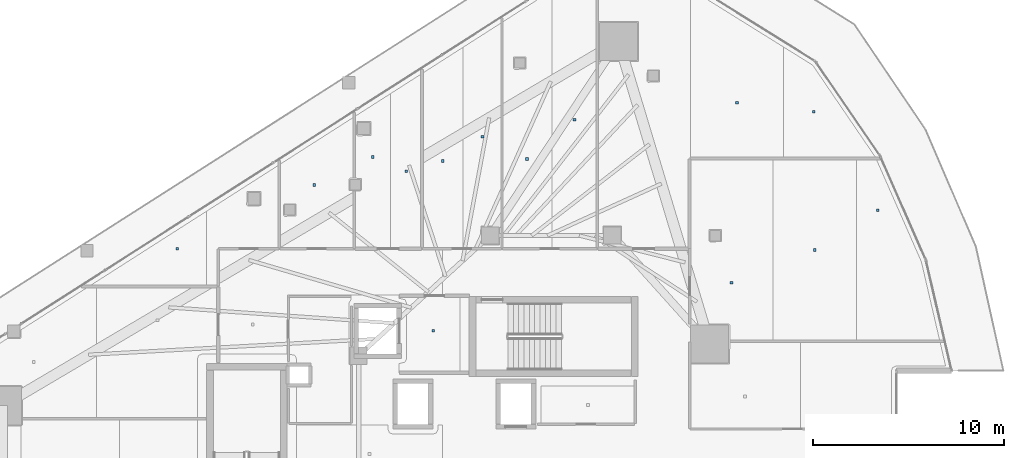
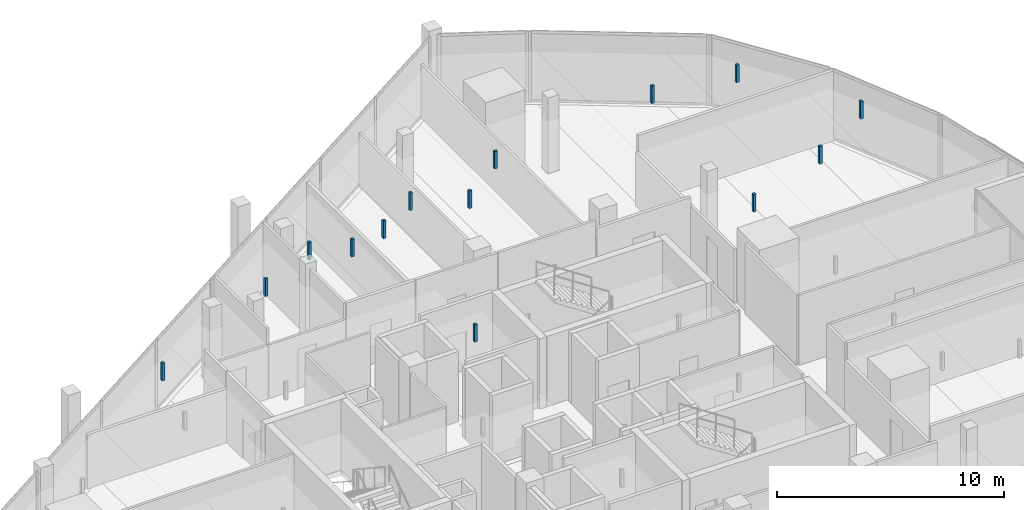
# One storey, part 27 of 33: 14 discrete accessories.
"""IFC4 building model written with IfcOpenShell, lengths in metres."""

from ifc_helpers import new_model, si_unit, direction, frame, origin, origin_2d, place, context, subcontext, project, spatial, rectangle, extrude, material, type_object, element, save


model = new_model("IFC4")

# Units and contexts
model_context = context("Model", 3, precision=1e-05, world=origin(), true_north=direction((0.0, 1.0)))
body_context = subcontext(model_context, "Body", "Model", "MODEL_VIEW")
ifc_project = project(units=[si_unit("LENGTHUNIT", "METRE"), si_unit("AREAUNIT", "SQUARE_METRE"), si_unit("VOLUMEUNIT", "CUBIC_METRE"), si_unit("PLANEANGLEUNIT", "RADIAN"), si_unit("MASSUNIT", "GRAM", prefix="KILO")], contexts=[model_context])

# Site, building, storey
site_placement = place(None, origin())
site = spatial("IfcSite", under=ifc_project, at=site_placement, CompositionType="ELEMENT")
building_placement = place(site_placement, origin())
building = spatial("IfcBuilding", under=site, at=building_placement, Name="Qorvath Tower", CompositionType="ELEMENT")
storey_placement = place(building_placement, frame((0.0, 0.0, 209.10009765625)))
storey = spatial("IfcBuildingStorey", under=building, at=storey_placement, Name="L48", CompositionType="ELEMENT", Elevation=209.10009765625)

# Discrete accessories
ifc_material = material(Name="Galvanised steel bracket", Category="steel")
discrete_accessory_type = type_object("IfcDiscreteAccessoryType", Name="DA-BRACKET", PredefinedType="BRACKET", material=ifc_material)
for number, where, z_axis, x_axis, name in (
    (1, (-26.590087890625, 6.449951171875, 2.85986328125), (0.0, 0.0, 1.0), (1.0, 0.0, 0.0), "Acoustic Ceiling Suspension Hanger T1-L48-001"),
    (2, (-32.82421875, 14.10302734375, 2.85986328125), (0.0, 0.0, 1.0), (1.0, 0.0, 0.0), "Acoustic Ceiling Suspension Hanger T1-L48-010"),
    (3, (-29.765869140625, 15.56689453125, 2.85986328125), (0.0, 0.0, 1.0), (1.0, 0.0, 0.0), "Acoustic Ceiling Suspension Hanger T1-L48-011"),
    (4, (-28.00537109375, 14.82568359375, 2.85986328125), (0.0, 0.0, 1.0), (1.0, 0.0, 0.0), "Acoustic Ceiling Suspension Hanger T1-L48-012"),
    (5, (-26.094482421875, 15.354736328125, 2.85986328125), (0.0, 0.0, 1.0), (1.0, 0.0, 0.0), "Acoustic Ceiling Suspension Hanger T1-L48-013"),
    (6, (-24.003173828125, 16.630859375, 2.85986328125), (0.0, 0.0, 1.0), (1.0, 0.0, 0.0), "Acoustic Ceiling Suspension Hanger T1-L48-014"),
    (7, (-21.668212890625, 15.46142578125, 2.85986328125), (0.0, 0.0, 1.0), (1.0, 0.0, 0.0), "Acoustic Ceiling Suspension Hanger T1-L48-015"),
    (8, (-19.177490234375, 17.52783203125, 2.85986328125), (0.0, 0.0, 1.0), (1.0, 0.0, 0.0), "Acoustic Ceiling Suspension Hanger T1-L48-016"),
    (9, (-10.6669921875, 18.414306640625, 2.85986328125), (0.0, 0.0, 1.0), (1.0, 0.0, 0.0), "Acoustic Ceiling Suspension Hanger T1-L48-018"),
    (10, (-6.63232421875, 17.939208984375, 2.85986328125), (0.0, 0.0, 1.0), (1.0, 0.0, 0.0), "Acoustic Ceiling Suspension Hanger T1-L48-019"),
    (11, (-10.949951171875, 8.966552734375, 2.85986328125), (0.0, 0.0, 1.0), (1.0, 0.0, 0.0), "Acoustic Ceiling Suspension Hanger T1-L48-037"),
    (12, (-6.583740234375, 10.694580078125, 2.85986328125), (0.0, 0.0, 1.0), (1.0, 0.0, 0.0), "Acoustic Ceiling Suspension Hanger T1-L48-038"),
    (13, (-3.292724609375, 12.782470703125, 2.85986328125), (0.0, 0.0, 1.0), (1.0, 0.0, 0.0), "Acoustic Ceiling Suspension Hanger T1-L48-039"),
    (14, (-39.998291015625, 10.76318359375, 2.85986328125), (0.0, 0.0, 1.0), (1.0, 0.0, 0.0), "Acoustic Ceiling Suspension Hanger T1-L48-047"),
):
    element("IfcDiscreteAccessory", number, at=place(storey_placement, frame(where, z_axis=z_axis, x_axis=x_axis)), inside=storey, type_object=discrete_accessory_type, Name=name, PredefinedType="NOTDEFINED", context=body_context, shape_type="SweptSolid", body=[
        extrude(rectangle(XDim=0.139892578125, YDim=0.139892578125, at=origin_2d()), origin(), (0.0, 0.0, 1.0), 0.949951171875),
    ])

save(model, "model.ifc")
